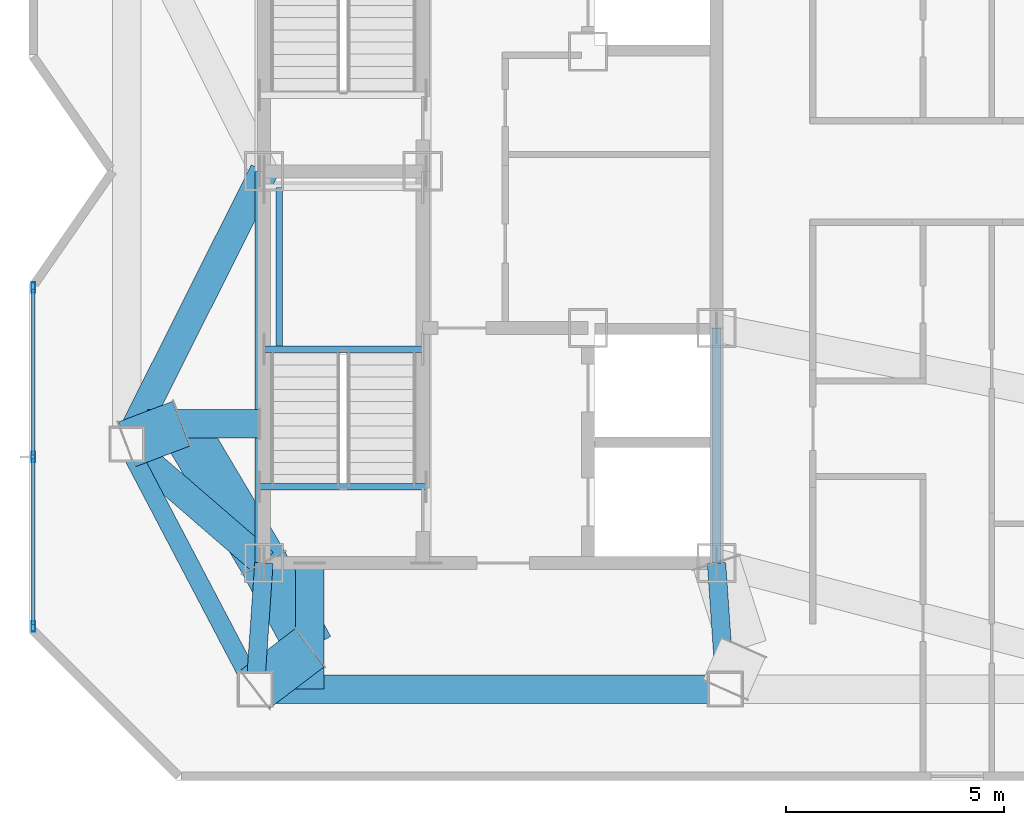
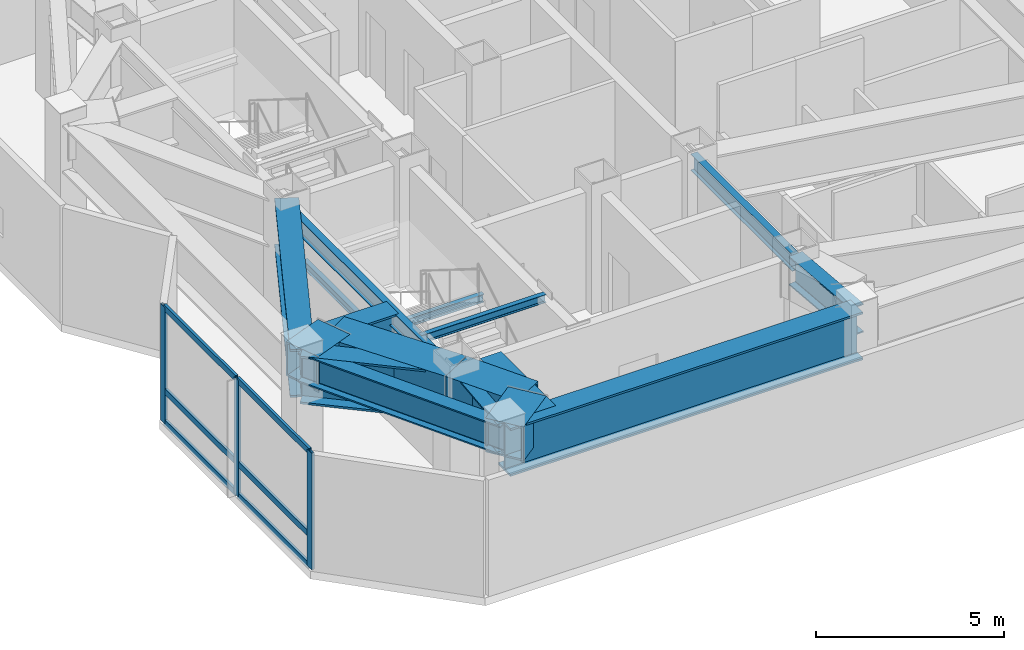
# One storey, part 2 of 9: 17 beams, 9 members, 1 element without a shape of its own.
"""IFC4 building model written with IfcOpenShell, lengths in metres."""

from ifc_helpers import new_model, si_unit, direction, frame, origin, origin_2d, place, context, subcontext, project, spatial, hollow_rectangle, i_section, extrude, material, material_profile, profile_set, type_object, element, aggregate, save


model = new_model("IFC4")

# Units and contexts
model_context = context("Model", 3, precision=1e-05, world=origin(), true_north=direction((0.0, 1.0)))
body_context = subcontext(model_context, "Body", "Model", "MODEL_VIEW")
ifc_project = project(units=[si_unit("LENGTHUNIT", "METRE"), si_unit("AREAUNIT", "SQUARE_METRE"), si_unit("VOLUMEUNIT", "CUBIC_METRE"), si_unit("PLANEANGLEUNIT", "RADIAN"), si_unit("MASSUNIT", "GRAM", prefix="KILO")], contexts=[model_context])

# Site, building, storey
site_placement = place(None, origin())
site = spatial("IfcSite", under=ifc_project, at=site_placement, CompositionType="ELEMENT")
building_placement = place(site_placement, origin())
building = spatial("IfcBuilding", under=site, at=building_placement, Name="Khamvora Tower", CompositionType="ELEMENT")
storey_placement = place(building_placement, frame((0.0, 0.0, 282.050048828125)))
storey = spatial("IfcBuildingStorey", under=building, at=storey_placement, Name="L72", CompositionType="ELEMENT", Elevation=282.050048828125)

# Beams
ifc_material_1 = material(Name="Steel S355", Category="steel")
ifc_material_profile_1 = material_profile(ifc_material_1, i_section(OverallWidth=0.14697265625, OverallDepth=0.261962890625, WebThickness=0.007080078125, FlangeThickness=0.010986328125, FilletRadius=0.008056640625, at=origin_2d()), Name="W250x39")
ifc_profile_set_1 = profile_set([ifc_material_profile_1], Name="Steel S355")
beam_type_1 = type_object("IfcBeamType", Name="BM-LN-W250x39", PredefinedType="LINTEL", material=ifc_profile_set_1)
beam_1_placement = place(storey_placement, frame((29.0, 23.9150390625, 1.76904296875), z_axis=(1.0, 0.0, 0.0), x_axis=(0.0, 1.0, 0.0)))
element("IfcBeam", 1, at=beam_1_placement, inside=storey, type_object=beam_type_1, Name="L72 ST-01 half-landing support beam 1.1", PredefinedType="LINTEL", context=body_context, shape_type="SweptSolid", body=[
    extrude(i_section(OverallWidth=0.14697265625, OverallDepth=0.261962890625, WebThickness=0.007080078125, FlangeThickness=0.010986328125, FilletRadius=0.008056640625, at=origin_2d()), origin(), (0.0, 0.0, 1.0), 3.64990234375),
])
beam_2_placement = place(storey_placement, frame((29.35009765625, 23.9150390625, 1.76904296875), z_axis=(0.0, 1.0, 0.0), x_axis=(-1.0, 0.0, 0.0)))
element("IfcBeam", 2, at=beam_2_placement, inside=storey, type_object=beam_type_1, Name="L72 ST-01 half-landing edge stringer 1", PredefinedType="LINTEL", context=body_context, shape_type="SweptSolid", body=[
    extrude(i_section(OverallWidth=0.14697265625, OverallDepth=0.261962890625, WebThickness=0.007080078125, FlangeThickness=0.010986328125, FilletRadius=0.008056640625, at=origin_2d()), origin(), (0.0, 0.0, 1.0), 3.71484375),
])
beam_3_placement = place(storey_placement, frame((28.89990234375, 20.75, 3.654052734375), z_axis=(1.0, 0.0, 0.0), x_axis=(0.0, 1.0, 0.0)))
element("IfcBeam", 3, at=beam_3_placement, inside=storey, type_object=beam_type_1, Name="L72 exit stair ST-01 landing trimmer beam", PredefinedType="LINTEL", context=body_context, shape_type="SweptSolid", body=[
    extrude(i_section(OverallWidth=0.14697265625, OverallDepth=0.261962890625, WebThickness=0.007080078125, FlangeThickness=0.010986328125, FilletRadius=0.008056640625, at=origin_2d()), origin(), (0.0, 0.0, 1.0), 3.830078125),
])
ifc_material_profile_2 = material_profile(ifc_material_1, i_section(OverallWidth=0.208984375, OverallDepth=0.532958984375, WebThickness=0.010009765625, FlangeThickness=0.01611328125, FilletRadius=0.013916015625, at=origin_2d()), Name="W530x92")
ifc_profile_set_2 = profile_set([ifc_material_profile_2], Name="Steel S355")
beam_type_2 = type_object("IfcBeamType", Name="BM-SP-W530x92", PredefinedType="SPANDREL", material=ifc_profile_set_2)
beam_4_placement = place(storey_placement, frame((28.89990234375, 19.0, 3.512939453125), z_axis=(0.0, 1.0, 0.0), x_axis=(-1.0, 0.0, 0.0)))
element("IfcBeam", 4, at=beam_4_placement, inside=storey, type_object=beam_type_2, Name="L72 core spine girder WS", PredefinedType="SPANDREL", context=body_context, shape_type="SweptSolid", body=[
    extrude(i_section(OverallWidth=0.208984375, OverallDepth=0.532958984375, WebThickness=0.010009765625, FlangeThickness=0.01611328125, FilletRadius=0.013916015625, at=origin_2d()), origin(), (0.0, 0.0, 1.0), 9.0),
])
beam_5_placement = place(storey_placement, frame((39.39990234375, 19.0, 3.512939453125), z_axis=(0.0, 1.0, 0.0), x_axis=(-1.0, 0.0, 0.0)))
element("IfcBeam", 5, at=beam_5_placement, inside=storey, type_object=beam_type_2, Name="L72 core spine girder ES", PredefinedType="SPANDREL", context=body_context, shape_type="SweptSolid", body=[
    extrude(i_section(OverallWidth=0.208984375, OverallDepth=0.532958984375, WebThickness=0.010009765625, FlangeThickness=0.01611328125, FilletRadius=0.013916015625, at=origin_2d()), origin(), (0.0, 0.0, 1.0), 5.39990234375),
])
ifc_material_2 = material(Name="Steel S460", Category="steel")
ifc_material_profile_3 = material_profile(ifc_material_2, hollow_rectangle(XDim=1.10009765625, YDim=1.10009765625, WallThickness=0.054931640625, at=origin_2d()), Name="BOX1100x1100x55")
ifc_profile_set_3 = profile_set([ifc_material_profile_3], Name="Steel S460")
beam_type_3 = type_object("IfcBeamType", Name="BM-TG-BOX1100", PredefinedType="BEAM", material=ifc_profile_set_3)
beam_6_placement = place(storey_placement, frame((28.800048828125, 16.10009765625, 3.22998046875), z_axis=(0.796177176454, 0.605063553434, 0.0), x_axis=(-0.605063553434, 0.796177176454, 0.0)))
element("IfcBeam", 6, at=beam_6_placement, inside=storey, type_object=beam_type_3, Name="L72 setback frame transfer frame transfer link S1.1", PredefinedType="BEAM", context=body_context, shape_type="SweptSolid", body=[
    extrude(hollow_rectangle(XDim=1.10009765625, YDim=1.10009765625, WallThickness=0.054931640625, at=origin_2d()), origin(), (0.0, 0.0, 1.0), 1.570068359375),
])
beam_7_placement = place(storey_placement, frame((29.0, 19.0, 3.22998046875), z_axis=(0.474126117709, -0.880456940745, 0.0), x_axis=(0.880456940745, 0.474126117709, 0.0)))
element("IfcBeam", 7, at=beam_7_placement, inside=storey, type_object=beam_type_3, Name="L72 setback frame transfer frame transfer link S1.2", PredefinedType="BEAM", context=body_context, shape_type="SweptSolid", body=[
    extrude(hollow_rectangle(XDim=1.10009765625, YDim=1.10009765625, WallThickness=0.054931640625, at=origin_2d()), origin(), (0.0, 0.0, 1.0), 2.214599609375),
])
beam_8_placement = place(storey_placement, frame((25.85009765625, 21.72509765625, 3.22998046875), z_axis=(0.934819951693, 0.35512203243, 0.0), x_axis=(-0.35512203243, 0.934819951693, 0.0)))
element("IfcBeam", 8, at=beam_8_placement, inside=storey, type_object=beam_type_3, Name="L72 setback frame transfer frame transfer link W1.1", PredefinedType="BEAM", context=body_context, shape_type="SweptSolid", body=[
    extrude(hollow_rectangle(XDim=1.10009765625, YDim=1.10009765625, WallThickness=0.054931640625, at=origin_2d()), origin(), (0.0, 0.0, 1.0), 1.337158203125),
])
beam_9_placement = place(storey_placement, frame((29.0, 19.0, 3.22998046875), z_axis=(-0.510525112388, 0.859862843494, 0.0), x_axis=(-0.859862843494, -0.510525112388, 0.0)))
element("IfcBeam", 9, at=beam_9_placement, inside=storey, type_object=beam_type_3, Name="L72 setback frame transfer frame transfer link W1.2", PredefinedType="BEAM", context=body_context, shape_type="SweptSolid", body=[
    extrude(hollow_rectangle(XDim=1.10009765625, YDim=1.10009765625, WallThickness=0.054931640625, at=origin_2d()), origin(), (0.0, 0.0, 1.0), 3.721435546875),
])
ifc_material_profile_4 = material_profile(ifc_material_2, i_section(OverallWidth=0.64990234375, OverallDepth=1.550048828125, WebThickness=0.0400390625, FlangeThickness=0.06494140625, at=origin_2d()), Name="PG1550x650x40x65")
ifc_profile_set_4 = profile_set([ifc_material_profile_4], Name="Steel S460")
beam_type_4 = type_object("IfcBeamType", Name="BM-TG-PG1800", PredefinedType="BEAM", material=ifc_profile_set_4)
beam_10_placement = place(storey_placement, frame((28.800048828125, 16.10009765625, 3.0048828125), z_axis=(1.0, 0.0, 0.0), x_axis=(0.0, 1.0, 0.0)))
element("IfcBeam", 10, at=beam_10_placement, inside=storey, type_object=beam_type_4, Name="L72 perimeter spandrel beam S1-S2", PredefinedType="BEAM", context=body_context, shape_type="SweptSolid", body=[
    extrude(i_section(OverallWidth=0.64990234375, OverallDepth=1.550048828125, WebThickness=0.0400390625, FlangeThickness=0.06494140625, at=origin_2d()), origin(), (0.0, 0.0, 1.0), 10.800048828125),
])
beam_11_placement = place(storey_placement, frame((29.0, 28.0, 3.0048828125), z_axis=(-0.448631741267, -0.893716711675, 0.0), x_axis=(0.893716711675, -0.448631741267, 0.0)))
element("IfcBeam", 11, at=beam_11_placement, inside=storey, type_object=beam_type_4, Name="L72 primary floor girder W1", PredefinedType="BEAM", context=body_context, shape_type="SweptSolid", body=[
    extrude(i_section(OverallWidth=0.64990234375, OverallDepth=1.550048828125, WebThickness=0.0400390625, FlangeThickness=0.06494140625, at=origin_2d()), origin(), (0.0, 0.0, 1.0), 7.021240234375),
])
beam_12_placement = place(storey_placement, frame((29.0, 19.0, 3.0048828125), z_axis=(-0.756261265325, 0.654269744501, 0.0), x_axis=(-0.654269744501, -0.756261265325, 0.0)))
element("IfcBeam", 12, at=beam_12_placement, inside=storey, type_object=beam_type_4, Name="L72 setback frame transfer core tie girder WS", PredefinedType="BEAM", context=body_context, shape_type="SweptSolid", body=[
    extrude(i_section(OverallWidth=0.64990234375, OverallDepth=1.550048828125, WebThickness=0.0400390625, FlangeThickness=0.06494140625, at=origin_2d()), origin(), (0.0, 0.0, 1.0), 4.1650390625),
])
beam_13_placement = place(storey_placement, frame((30.050048828125, 16.10009765625, 3.0048828125), z_axis=(0.0, 1.0, 0.0), x_axis=(-1.0, 0.0, 0.0)))
element("IfcBeam", 13, at=beam_13_placement, inside=storey, type_object=beam_type_4, Name="L72 setback frame transfer Box Girder S1", PredefinedType="BEAM", context=body_context, shape_type="SweptSolid", body=[
    extrude(i_section(OverallWidth=0.64990234375, OverallDepth=1.550048828125, WebThickness=0.0400390625, FlangeThickness=0.06494140625, at=origin_2d()), origin(), (0.0, 0.0, 1.0), 2.89990234375),
])
beam_14_placement = place(storey_placement, frame((26.327880859375, 22.199951171875, 3.0048828125), z_axis=(1.0, 0.0, 0.0), x_axis=(0.0, 1.0, 0.0)))
element("IfcBeam", 14, at=beam_14_placement, inside=storey, type_object=beam_type_4, Name="L72 setback frame transfer Box Girder W1", PredefinedType="BEAM", context=body_context, shape_type="SweptSolid", body=[
    extrude(i_section(OverallWidth=0.64990234375, OverallDepth=1.550048828125, WebThickness=0.0400390625, FlangeThickness=0.06494140625, at=origin_2d()), origin(), (0.0, 0.0, 1.0), 2.572021484375),
])
ifc_material_profile_5 = material_profile(ifc_material_2, i_section(OverallWidth=0.423095703125, OverallDepth=0.93310546875, WebThickness=0.02392578125, FlangeThickness=0.04296875, FilletRadius=0.02001953125, at=origin_2d()), Name="W920x446")
ifc_profile_set_5 = profile_set([ifc_material_profile_5], Name="Steel S460")
beam_type_5 = type_object("IfcBeamType", Name="BM-TL-900", PredefinedType="BEAM", material=ifc_profile_set_5)
beam_15_placement = place(storey_placement, frame((25.85009765625, 21.72509765625, 3.31298828125), z_axis=(0.464442132217, -0.885603469856, 0.0), x_axis=(0.885603469856, 0.464442132217, 0.0)))
element("IfcBeam", 15, at=beam_15_placement, inside=storey, type_object=beam_type_5, Name="L72 perimeter spandrel beam W1-S1", PredefinedType="BEAM", context=body_context, shape_type="SweptSolid", body=[
    extrude(i_section(OverallWidth=0.423095703125, OverallDepth=0.93310546875, WebThickness=0.02392578125, FlangeThickness=0.04296875, FilletRadius=0.02001953125, at=origin_2d()), origin(), (0.0, 0.0, 1.0), 6.3515625),
])
for number, where, z_axis, x_axis, name in (
    (16, (29.0, 19.0, 3.31298828125), (-0.06878767915, -0.997631322281, 0.0), (0.997631322281, -0.06878767915, 0.0), "L72 primary floor girder S1"),
    (17, (39.39990234375, 19.0, 3.31298828125), (0.068871270847, -0.997625555031, 0.0), (0.997625555031, 0.068871270847, 0.0), "L72 primary floor girder S2"),
):
    element("IfcBeam", number, at=place(storey_placement, frame(where, z_axis=z_axis, x_axis=x_axis)), inside=storey, type_object=beam_type_5, Name=name, PredefinedType="BEAM", context=body_context, shape_type="SweptSolid", body=[
        extrude(i_section(OverallWidth=0.423095703125, OverallDepth=0.93310546875, WebThickness=0.02392578125, FlangeThickness=0.04296875, FilletRadius=0.02001953125, at=origin_2d()), origin(), (0.0, 0.0, 1.0), 2.90673828125),
    ])

# Curtain wall, members
ifc_material_3 = material(Name="Anodised Aluminium 6063-T6", Category="aluminium")
curtain_wall_type = type_object("IfcCurtainWallType", Name="CW-SYS-06", PredefinedType="NOTDEFINED", material=ifc_material_3)
curtain_wall_placement = place(storey_placement, origin())
curtain_wall = element("IfcCurtainWall", 18, at=curtain_wall_placement, inside=storey, type_object=curtain_wall_type, Name="L72 stick curtain wall 02.1", PredefinedType="NOTDEFINED")
ifc_material_profile_6 = material_profile(ifc_material_3, hollow_rectangle(XDim=0.080078125, YDim=0.239990234375, WallThickness=0.0048828125, at=origin_2d()), Name="MUL80x240x5")
ifc_profile_set_6 = profile_set([ifc_material_profile_6], Name="Anodised Aluminium 6063-T6")
member_type_1 = type_object("IfcMemberType", Name="CW-SYS-06-MUL", PredefinedType="MULLION", material=ifc_profile_set_6)
member_1_placement = place(storey_placement, frame((23.699951171875, 17.5439453125, 0.0), z_axis=(0.0, 0.0, 1.0), x_axis=(-1.0, 0.0, 0.0)))
member_1 = element("IfcMember", 19, at=member_1_placement, type_object=member_type_1, Name="CW-06 mullion 1", PredefinedType="MULLION", context=body_context, shape_type="SweptSolid", body=[
    extrude(hollow_rectangle(XDim=0.080078125, YDim=0.239990234375, WallThickness=0.0048828125, at=origin_2d()), origin(), (0.0, 0.0, 1.0), 3.780029296875),
])
member_2_placement = place(storey_placement, frame((23.699951171875, 21.4365234375, 0.0), z_axis=(0.0, 0.0, 1.0), x_axis=(-1.0, 0.0, 0.0)))
member_2 = element("IfcMember", 20, at=member_2_placement, type_object=member_type_1, Name="CW-06 mullion 2", PredefinedType="MULLION", context=body_context, shape_type="SweptSolid", body=[
    extrude(hollow_rectangle(XDim=0.080078125, YDim=0.239990234375, WallThickness=0.0048828125, at=origin_2d()), origin(), (0.0, 0.0, 1.0), 3.780029296875),
])
member_3_placement = place(storey_placement, frame((23.699951171875, 25.3291015625, 0.0), z_axis=(0.0, 0.0, 1.0), x_axis=(-1.0, 0.0, 0.0)))
member_3 = element("IfcMember", 21, at=member_3_placement, type_object=member_type_1, Name="CW-06 mullion 3", PredefinedType="MULLION", context=body_context, shape_type="SweptSolid", body=[
    extrude(hollow_rectangle(XDim=0.080078125, YDim=0.239990234375, WallThickness=0.0048828125, at=origin_2d()), origin(), (0.0, 0.0, 1.0), 3.780029296875),
])
ifc_material_profile_7 = material_profile(ifc_material_3, hollow_rectangle(XDim=0.080078125, YDim=0.195068359375, WallThickness=0.0048828125, at=origin_2d()), Name="TRN80x195x5")
ifc_profile_set_7 = profile_set([ifc_material_profile_7], Name="Anodised Aluminium 6063-T6")
member_type_2 = type_object("IfcMemberType", Name="CW-SYS-06-TRN", PredefinedType="USERDEFINED", material=ifc_profile_set_7)
member_4_placement = place(storey_placement, frame((23.699951171875, 17.583984375, 0.0400390625), z_axis=(0.0, 1.0, 0.0), x_axis=(-1.0, 0.0, 0.0)))
member_4 = element("IfcMember", 22, at=member_4_placement, type_object=member_type_2, Name="CW-06 transom 1.1", ObjectType="TRANSOM", PredefinedType="USERDEFINED", context=body_context, shape_type="SweptSolid", body=[
    extrude(hollow_rectangle(XDim=0.080078125, YDim=0.195068359375, WallThickness=0.0048828125, at=origin_2d()), origin(), (0.0, 0.0, 1.0), 3.8125),
])
member_5_placement = place(storey_placement, frame((23.699951171875, 17.583984375, 1.050048828125), z_axis=(0.0, 1.0, 0.0), x_axis=(-1.0, 0.0, 0.0)))
member_5 = element("IfcMember", 23, at=member_5_placement, type_object=member_type_2, Name="CW-06 transom 1.2", ObjectType="TRANSOM", PredefinedType="USERDEFINED", context=body_context, shape_type="SweptSolid", body=[
    extrude(hollow_rectangle(XDim=0.080078125, YDim=0.195068359375, WallThickness=0.0048828125, at=origin_2d()), origin(), (0.0, 0.0, 1.0), 3.8125),
])
member_6_placement = place(storey_placement, frame((23.699951171875, 17.583984375, 3.739990234375), z_axis=(0.0, 1.0, 0.0), x_axis=(-1.0, 0.0, 0.0)))
member_6 = element("IfcMember", 24, at=member_6_placement, type_object=member_type_2, Name="CW-06 transom 1.3", ObjectType="TRANSOM", PredefinedType="USERDEFINED", context=body_context, shape_type="SweptSolid", body=[
    extrude(hollow_rectangle(XDim=0.080078125, YDim=0.195068359375, WallThickness=0.0048828125, at=origin_2d()), origin(), (0.0, 0.0, 1.0), 3.8125),
])
member_7_placement = place(storey_placement, frame((23.699951171875, 21.4765625, 0.0400390625), z_axis=(0.0, 1.0, 0.0), x_axis=(-1.0, 0.0, 0.0)))
member_7 = element("IfcMember", 25, at=member_7_placement, type_object=member_type_2, Name="CW-06 transom 2.1", ObjectType="TRANSOM", PredefinedType="USERDEFINED", context=body_context, shape_type="SweptSolid", body=[
    extrude(hollow_rectangle(XDim=0.080078125, YDim=0.195068359375, WallThickness=0.0048828125, at=origin_2d()), origin(), (0.0, 0.0, 1.0), 3.8125),
])
member_8_placement = place(storey_placement, frame((23.699951171875, 21.4765625, 1.050048828125), z_axis=(0.0, 1.0, 0.0), x_axis=(-1.0, 0.0, 0.0)))
member_8 = element("IfcMember", 26, at=member_8_placement, type_object=member_type_2, Name="CW-06 transom 2.2", ObjectType="TRANSOM", PredefinedType="USERDEFINED", context=body_context, shape_type="SweptSolid", body=[
    extrude(hollow_rectangle(XDim=0.080078125, YDim=0.195068359375, WallThickness=0.0048828125, at=origin_2d()), origin(), (0.0, 0.0, 1.0), 3.8125),
])
member_9_placement = place(storey_placement, frame((23.699951171875, 21.4765625, 3.739990234375), z_axis=(0.0, 1.0, 0.0), x_axis=(-1.0, 0.0, 0.0)))
member_9 = element("IfcMember", 27, at=member_9_placement, type_object=member_type_2, Name="CW-06 transom 2.3", ObjectType="TRANSOM", PredefinedType="USERDEFINED", context=body_context, shape_type="SweptSolid", body=[
    extrude(hollow_rectangle(XDim=0.080078125, YDim=0.195068359375, WallThickness=0.0048828125, at=origin_2d()), origin(), (0.0, 0.0, 1.0), 3.8125),
])
aggregate(curtain_wall, [member_1, member_2, member_3, member_4, member_5, member_6, member_7, member_8, member_9])

save(model, "model.ifc")
